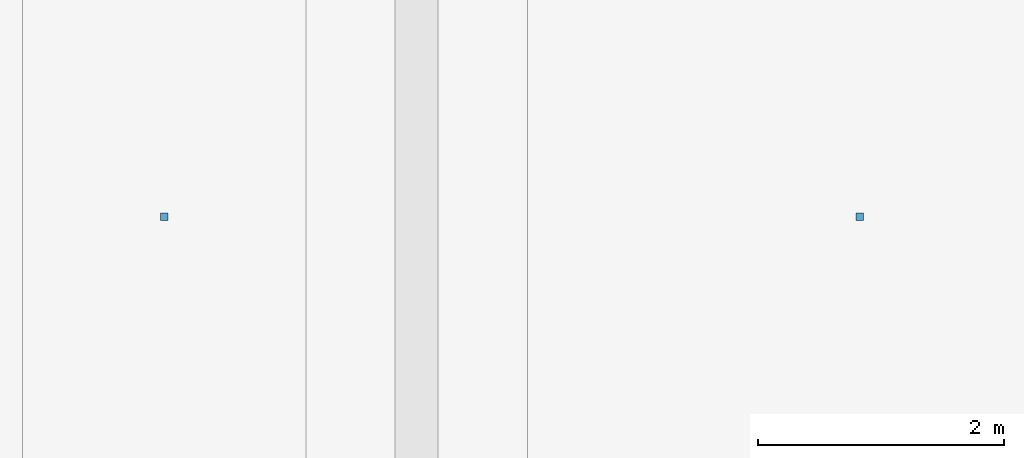
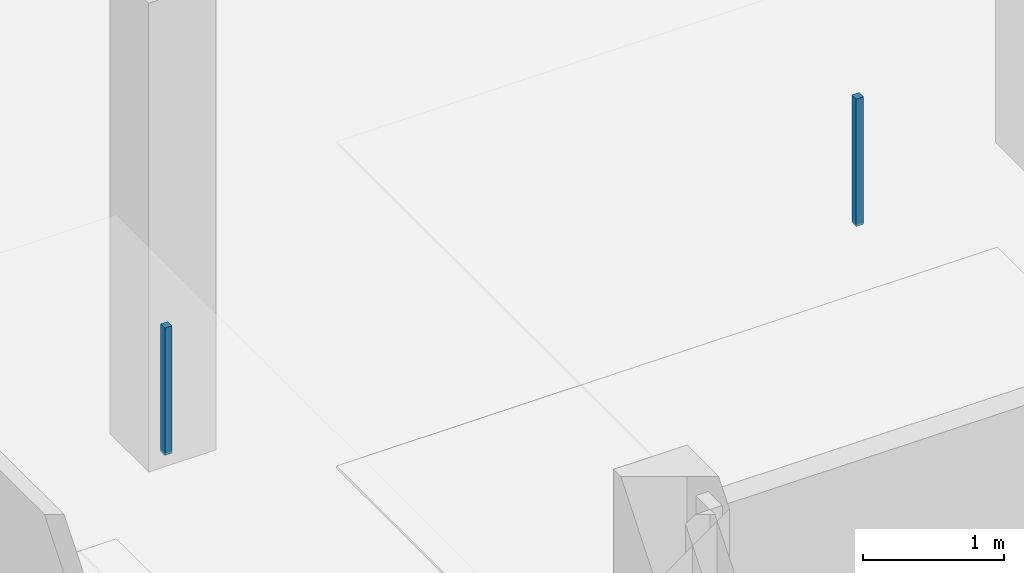
# One storey, part 56 of 59: 2 discrete accessories.
"""IFC4 building model written with IfcOpenShell, lengths in metres."""

from ifc_helpers import new_model, si_unit, direction, frame, origin, origin_2d, place, context, subcontext, project, spatial, rectangle, extrude, material, type_object, element, save


model = new_model("IFC4")

# Units and contexts
model_context = context("Model", 3, precision=1e-05, world=origin(), true_north=direction((0.0, 1.0)))
body_context = subcontext(model_context, "Body", "Model", "MODEL_VIEW")
ifc_project = project(units=[si_unit("LENGTHUNIT", "METRE"), si_unit("AREAUNIT", "SQUARE_METRE"), si_unit("VOLUMEUNIT", "CUBIC_METRE"), si_unit("PLANEANGLEUNIT", "RADIAN"), si_unit("MASSUNIT", "GRAM", prefix="KILO")], contexts=[model_context])

# Site, building, storey
site_placement = place(None, origin())
site = spatial("IfcSite", under=ifc_project, at=site_placement, CompositionType="ELEMENT")
building_placement = place(site_placement, origin())
building = spatial("IfcBuilding", under=site, at=building_placement, Name="Kangsadwip Square Police Headquarters", CompositionType="ELEMENT")
storey_placement = place(building_placement, frame((0.0, 0.0, 21.60009765625)))
storey = spatial("IfcBuildingStorey", under=building, at=storey_placement, Name="L05", CompositionType="ELEMENT", Elevation=21.60009765625)

# Discrete accessories
ifc_material = material(Name="Structural steel IS 2062 E350 (Grade 350, 350 MPa)", Category="steel")
discrete_accessory_type = type_object("IfcDiscreteAccessoryType", Name="VeilOutriggerBracket", PredefinedType="BRACKET", material=ifc_material)
for number, where, z_axis, x_axis, name in (
    (1, (149.14990234375, 104.39990234375, 2.809814453125), (0.0, 0.0, 1.0), (1.0, 0.0, 0.0), "Ceiling Suspension Hanger L05-134"),
    (2, (154.800048828125, 104.39990234375, 2.809814453125), (0.0, 0.0, 1.0), (1.0, 0.0, 0.0), "Ceiling Suspension Hanger L05-135"),
):
    element("IfcDiscreteAccessory", number, at=place(storey_placement, frame(where, z_axis=z_axis, x_axis=x_axis)), inside=storey, type_object=discrete_accessory_type, Name=name, PredefinedType="BRACKET", context=body_context, shape_type="SweptSolid", body=[
        extrude(rectangle(XDim=0.06005859375, YDim=0.06005859375, at=origin_2d()), origin(), (0.0, 0.0, 1.0), 1.10009765625),
    ])

save(model, "model.ifc")
